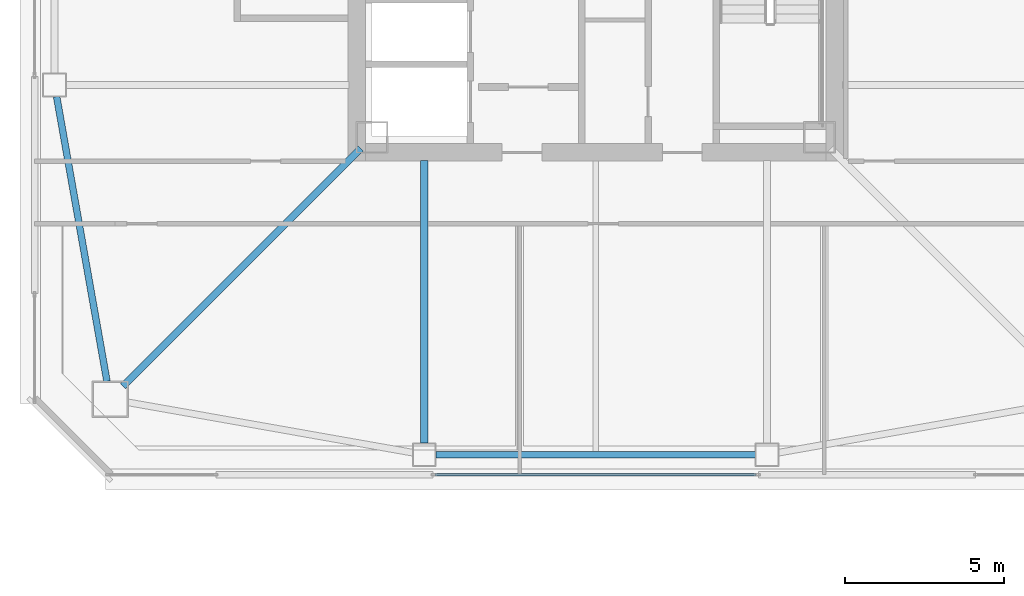
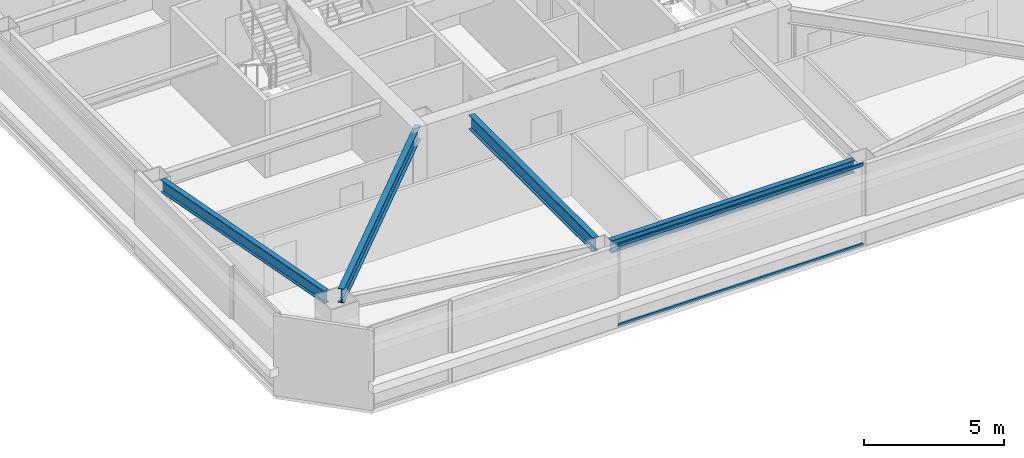
# One storey, part 4 of 41: 4 beams, 2 members, 1 element without a shape of its own.
"""IFC4 building model written with IfcOpenShell, lengths in metres."""

from ifc_helpers import new_model, si_unit, direction, frame, origin, origin_2d, place, context, subcontext, project, spatial, hollow_rectangle, i_section, extrude, material, material_profile, profile_set, type_object, element, aggregate, save


model = new_model("IFC4")

# Units and contexts
model_context = context("Model", 3, precision=1e-05, world=origin(), true_north=direction((0.0, 1.0)))
body_context = subcontext(model_context, "Body", "Model", "MODEL_VIEW")
ifc_project = project(units=[si_unit("LENGTHUNIT", "METRE"), si_unit("AREAUNIT", "SQUARE_METRE"), si_unit("VOLUMEUNIT", "CUBIC_METRE"), si_unit("PLANEANGLEUNIT", "RADIAN"), si_unit("MASSUNIT", "GRAM", prefix="KILO")], contexts=[model_context])

# Site, building, storey
site_placement = place(None, origin())
site = spatial("IfcSite", under=ifc_project, at=site_placement, CompositionType="ELEMENT")
building_placement = place(site_placement, origin())
building = spatial("IfcBuilding", under=site, at=building_placement, Name="Tashvorn Skyway Center", CompositionType="ELEMENT")
storey_placement = place(building_placement, frame((0.0, 0.0, 171.199951171875)))
storey = spatial("IfcBuildingStorey", under=building, at=storey_placement, Name="L46", CompositionType="ELEMENT", Elevation=171.199951171875)

# Beams
ifc_material_1 = material(Name="Steel ASTM A992 Grade 50", Category="steel")
ifc_material_profile_1 = material_profile(ifc_material_1, i_section(OverallWidth=0.22998046875, OverallDepth=0.616943359375, WebThickness=0.01318359375, FlangeThickness=0.022216796875, at=origin_2d()), Name="W24X94")
ifc_profile_set_1 = profile_set([ifc_material_profile_1], Name="Steel ASTM A992 Grade 50")
beam_type_1 = type_object("IfcBeamType", Name="BM-BEAM-W24X94", PredefinedType="BEAM", material=ifc_profile_set_1)
beam_1_placement = place(storey_placement, frame((27.10302734375, 17.10302734375, 3.0615234375), z_axis=(0.707106781187, 0.707106781187, 0.0), x_axis=(-0.707106781187, 0.707106781187, 0.0)))
element("IfcBeam", 1, at=beam_1_placement, inside=storey, type_object=beam_type_1, Name="Tower 1 L46 Primary Floor Girder MC-SW", PredefinedType="BEAM", context=body_context, shape_type="SweptSolid", body=[
    extrude(i_section(OverallWidth=0.22998046875, OverallDepth=0.616943359375, WebThickness=0.01318359375, FlangeThickness=0.022216796875, at=origin_2d()), origin(), (0.0, 0.0, 1.0), 10.6025390625),
])
beam_2_placement = place(storey_placement, frame((36.60009765625, 15.320068359375, 3.0615234375), z_axis=(0.0, 1.0, 0.0), x_axis=(-1.0, 0.0, 0.0)))
element("IfcBeam", 2, at=beam_2_placement, inside=storey, type_object=beam_type_1, Name="Tower 1 L46 Primary Floor Girder FC-S1", PredefinedType="BEAM", context=body_context, shape_type="SweptSolid", body=[
    extrude(i_section(OverallWidth=0.22998046875, OverallDepth=0.616943359375, WebThickness=0.01318359375, FlangeThickness=0.022216796875, at=origin_2d()), origin(), (0.0, 0.0, 1.0), 8.89990234375),
])
ifc_material_profile_2 = material_profile(ifc_material_1, i_section(OverallWidth=0.2109375, OverallDepth=0.5390625, WebThickness=0.01171875, FlangeThickness=0.018798828125, at=origin_2d()), Name="W21X73")
ifc_profile_set_2 = profile_set([ifc_material_profile_2], Name="Steel ASTM A992 Grade 50")
beam_type_2 = type_object("IfcBeamType", Name="BM-SPANDREL-W21X73", PredefinedType="SPANDREL", material=ifc_profile_set_2)
beam_3_placement = place(storey_placement, frame((36.969970703125, 14.949951171875, 3.1005859375), z_axis=(1.0, 0.0, 0.0), x_axis=(0.0, 1.0, 0.0)))
element("IfcBeam", 3, at=beam_3_placement, inside=storey, type_object=beam_type_2, Name="Tower 1 L46 Spandrel Beam 02", PredefinedType="SPANDREL", context=body_context, shape_type="SweptSolid", body=[
    extrude(i_section(OverallWidth=0.2109375, OverallDepth=0.5390625, WebThickness=0.01171875, FlangeThickness=0.018798828125, at=origin_2d()), origin(), (0.0, 0.0, 1.0), 10.06005859375),
])
beam_4_placement = place(storey_placement, frame((25.014404296875, 26.235595703125, 3.1005859375), z_axis=(0.174074160933, -0.984732545667, 0.0), x_axis=(0.984732545667, 0.174074160933, 0.0)))
element("IfcBeam", 4, at=beam_4_placement, inside=storey, type_object=beam_type_2, Name="Tower 1 L46 Spandrel Beam 12", PredefinedType="SPANDREL", context=body_context, shape_type="SweptSolid", body=[
    extrude(i_section(OverallWidth=0.2109375, OverallDepth=0.5390625, WebThickness=0.01171875, FlangeThickness=0.018798828125, at=origin_2d()), origin(), (0.0, 0.0, 1.0), 9.113525390625),
])

# Curtain wall, members
ifc_material_2 = material(Name="Thermally broken bronze-anodized aluminium 6063-T6", Category="aluminium")
curtain_wall_type = type_object("IfcCurtainWallType", Name="CW-CW-Z4", PredefinedType="NOTDEFINED", material=ifc_material_2)
curtain_wall_placement = place(storey_placement, origin())
curtain_wall = element("IfcCurtainWall", 5, at=curtain_wall_placement, inside=storey, type_object=curtain_wall_type, Name="Tower 1 L46 South Unitised Curtain Wall Glazing Group 2", PredefinedType="NOTDEFINED")
ifc_material_profile_3 = material_profile(ifc_material_2, hollow_rectangle(XDim=0.070068359375, YDim=0.1298828125, WallThickness=0.00390625, at=origin_2d()), Name="ALU-TRAN-70x130")
ifc_profile_set_3 = profile_set([ifc_material_profile_3], Name="Thermally broken bronze-anodized aluminium 6063-T6")
member_type = type_object("IfcMemberType", Name="CWT-CW-Z4", PredefinedType="USERDEFINED", material=ifc_profile_set_3)
member_1_placement = place(storey_placement, frame((47.056640625, 14.320068359375, 0.03515625), z_axis=(-1.0, 0.0, 0.0), x_axis=(0.0, -1.0, 0.0)))
member_1 = element("IfcMember", 6, at=member_1_placement, type_object=member_type, Name="CW-Z4 transom 1.1", ObjectType="TRANSOM", PredefinedType="USERDEFINED", context=body_context, shape_type="SweptSolid", body=[
    extrude(hollow_rectangle(XDim=0.070068359375, YDim=0.1298828125, WallThickness=0.00390625, at=origin_2d()), origin(), (0.0, 0.0, 1.0), 10.11328125),
])
member_2_placement = place(storey_placement, frame((47.056640625, 14.320068359375, 3.51513671875), z_axis=(-1.0, 0.0, 0.0), x_axis=(0.0, -1.0, 0.0)))
member_2 = element("IfcMember", 7, at=member_2_placement, type_object=member_type, Name="CW-Z4 transom 1.2", ObjectType="TRANSOM", PredefinedType="USERDEFINED", context=body_context, shape_type="SweptSolid", body=[
    extrude(hollow_rectangle(XDim=0.070068359375, YDim=0.1298828125, WallThickness=0.00390625, at=origin_2d()), origin(), (0.0, 0.0, 1.0), 10.11328125),
])
aggregate(curtain_wall, [member_1, member_2])

save(model, "model.ifc")
